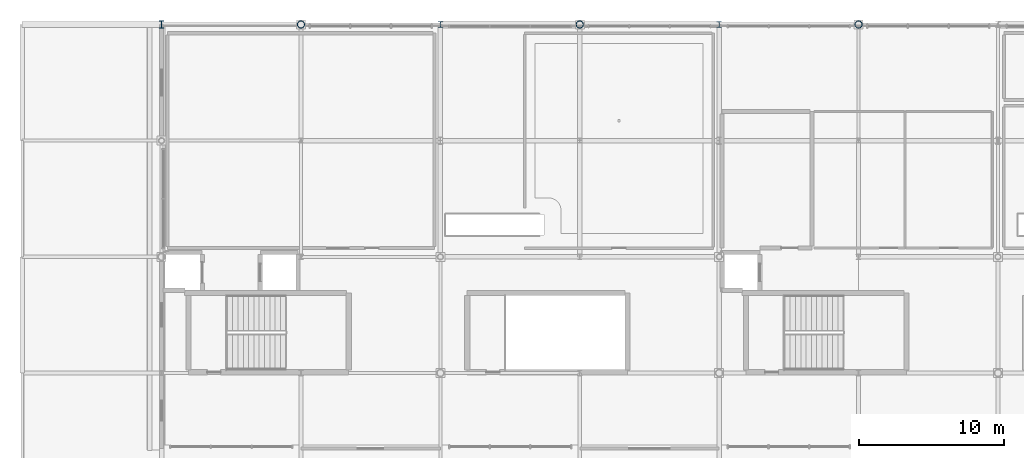
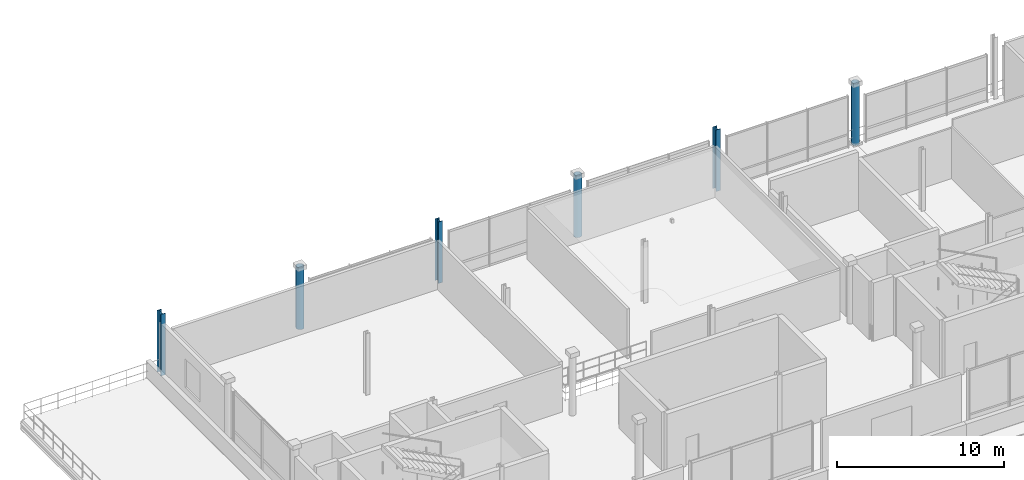
# One storey, part 3 of 26: 6 columns.
"""IFC4 building model written with IfcOpenShell, lengths in metres."""

import ifcopenshell
import ifcopenshell.guid

model = None  # the IFC model being written
_history = None  # IfcOwnerHistory: only IFC2X3 demands one
_inside = {}  # id of a spatial element -> (the spatial element, [elements in it])
_under = {}  # id of a project, library or spatial element -> (it, [spatial elements below it])
_declared = {}  # id of a project -> (the project, [libraries it declares])
_typed = {}  # id of a type object -> (the type object, [elements of that type])
_made_of = {}  # id of a material, layer set ... -> (it, [elements and type objects made of it])


def new_model(schema):
    """Start an empty IFC model of exactly this schema.

    Asked for "IFC4X3", IfcOpenShell would pick the latest addendum, in which some entities
    have other attributes; the version numbers below select the first issue.
    IFC2X3 requires an IfcOwnerHistory on every rooted entity: one is made here for all.
    """
    global model, _history
    if schema == "IFC4X3":
        model = ifcopenshell.file(schema_version=(4, 3, 0, 0))
    else:
        model = ifcopenshell.file(schema=schema)
    _inside.clear()
    _under.clear()
    _declared.clear()
    _typed.clear()
    _made_of.clear()
    _history = None
    if model.schema == "IFC2X3":
        org = make("IfcOrganization", Name="unknown")
        user = make(
            "IfcPersonAndOrganization",
            ThePerson=make("IfcPerson", FamilyName="unknown"),
            TheOrganization=org,
        )
        app = make(
            "IfcApplication",
            ApplicationDeveloper=org,
            Version="unknown",
            ApplicationFullName="unknown",
            ApplicationIdentifier="unknown",
        )
        _history = make(
            "IfcOwnerHistory",
            OwningUser=user,
            OwningApplication=app,
            ChangeAction="ADDED",
            CreationDate=0,
        )
    return model


def make(cls, **values):
    """One entity of the class cls with the attributes given. An attribute that is None is left unset."""
    return model.create_entity(
        cls, **{name: value for name, value in values.items() if value is not None}
    )


def rooted(cls, **values):
    """An entity with a GlobalId (a new one), such as an element, a storey or a relation."""
    return make(cls, GlobalId=ifcopenshell.guid.new(), OwnerHistory=_history, **values)


def si_unit(unit_type, name, prefix=None):
    """IfcSIUnit, for example si_unit("LENGTHUNIT", "METRE", prefix="MILLI")."""
    return make("IfcSIUnit", UnitType=unit_type, Prefix=prefix, Name=name)


def assignment(units):
    """IfcUnitAssignment: the units of a project."""
    return None if units is None else make("IfcUnitAssignment", Units=units)


def point(xyz):
    """IfcCartesianPoint."""
    return None if xyz is None else make("IfcCartesianPoint", Coordinates=xyz)


def direction(xyz):
    """IfcDirection."""
    return None if xyz is None else make("IfcDirection", DirectionRatios=xyz)


def frame(location, z_axis=None, x_axis=None):
    """IfcAxis2Placement3D, a coordinate frame: its origin and axes. An axis left out is left unset."""
    return make(
        "IfcAxis2Placement3D",
        Location=point(location),
        Axis=direction(z_axis),
        RefDirection=direction(x_axis),
    )


def frame_2d(location, x_axis=None):
    """IfcAxis2Placement2D, a coordinate frame in the plane: its origin and x axis."""
    return make(
        "IfcAxis2Placement2D", Location=point(location), RefDirection=direction(x_axis)
    )


def origin():
    """The frame at (0, 0, 0) with its axes left unset."""
    return frame((0.0, 0.0, 0.0))


def origin_2d():
    """The frame at (0, 0) in the plane with its x axis left unset."""
    return frame_2d((0.0, 0.0))


def place(relative_to, where):
    """IfcLocalPlacement: puts the frame where relative to a parent placement (None: the world)."""
    return make(
        "IfcLocalPlacement", PlacementRelTo=relative_to, RelativePlacement=where
    )


def context(
    kind, dimensions, precision=None, world=None, true_north=None, identifier=None
):
    """IfcGeometricRepresentationContext, for example the 3D "Model" context."""
    return make(
        "IfcGeometricRepresentationContext",
        ContextIdentifier=identifier,
        ContextType=kind,
        CoordinateSpaceDimension=dimensions,
        Precision=precision,
        WorldCoordinateSystem=world,
        TrueNorth=true_north,
    )


def subcontext(parent, identifier, kind, view, scale=None):
    """IfcGeometricRepresentationSubContext, for example "Body" below "Model"."""
    return make(
        "IfcGeometricRepresentationSubContext",
        ContextIdentifier=identifier,
        ContextType=kind,
        ParentContext=parent,
        TargetScale=scale,
        TargetView=view,
    )


def project(units=None, contexts=None):
    """IfcProject with its units and contexts."""
    return rooted(
        "IfcProject",
        Name="project",
        RepresentationContexts=contexts,
        UnitsInContext=assignment(units),
    )


def spatial(cls, under=None, at=None, **own):
    """A site, building, storey or space (cls), placed at a placement, below another one or the project."""
    s = rooted(cls, ObjectPlacement=at, **own)
    if under is not None:
        _under.setdefault(under.id(), (under, []))[1].append(s)
    return s


def profile(cls, at=None, kind="AREA", **sizes):
    """A parametric profile (cls). Its sizes go by their IFC names, for example OverallWidth=200.0."""
    return make(cls, ProfileType=kind, Position=at, **sizes)


def hollow_circle(**sizes):
    """IfcCircleHollowProfileDef."""
    return profile("IfcCircleHollowProfileDef", **sizes)


def i_section(**sizes):
    """IfcIShapeProfileDef."""
    return profile("IfcIShapeProfileDef", **sizes)


def extrude(swept, where, along, depth):
    """IfcExtrudedAreaSolid: the profile swept, set in the frame where, extruded along a direction by depth."""
    return make(
        "IfcExtrudedAreaSolid",
        SweptArea=swept,
        Position=where,
        ExtrudedDirection=direction(along),
        Depth=depth,
    )


def shape(context_of_items, identifier, shape_type, items):
    """IfcShapeRepresentation: the items that make up one representation, for example the "Body"."""
    return make(
        "IfcShapeRepresentation",
        ContextOfItems=context_of_items,
        RepresentationIdentifier=identifier,
        RepresentationType=shape_type,
        Items=items,
    )


def material(Name=None, Category=None):
    """IfcMaterial."""
    return make("IfcMaterial", Name=Name, Category=Category)


def material_profile(
    of_material, cross_section, Name=None, Category=None, Priority=None
):
    """IfcMaterialProfile: a cross section and its material."""
    return make(
        "IfcMaterialProfile",
        Name=Name,
        Material=of_material,
        Profile=cross_section,
        Priority=Priority,
        Category=Category,
    )


def profile_set(profiles, Name=None, composite=None):
    """IfcMaterialProfileSet."""
    return make(
        "IfcMaterialProfileSet",
        Name=Name,
        MaterialProfiles=profiles,
        CompositeProfile=composite,
    )


def made_of(thing, what):
    """Note that an element or type object is made of a material, layer set ...; save() writes the relation."""
    if what is not None:
        _made_of.setdefault(what.id(), (what, []))[1].append(thing)
    return thing


def type_object(cls, material=None, **own):
    """A type object (cls), such as IfcWallType, which elements share."""
    return made_of(rooted(cls, **own), material)


def element(
    cls,
    number,
    at=None,
    inside=None,
    cuts=None,
    type_object=None,
    material=None,
    context=None,
    identifier="Body",
    shape_type=None,
    held_by="IfcProductDefinitionShape",
    body=None,
    shapes=None,
    **own,
):
    """One element of the class cls, such as IfcWall. Its Tag is "e" and its number.

    at: its placement. inside: the storey or other place that contains it. cuts: it is an
    opening in that element (IfcRelVoidsElement). A single representation is given by context,
    identifier, shape_type and body (its items); several are given by shapes. held_by: the class
    of the entity that holds the representations. save() writes the other relations.
    """
    e = rooted(cls, Tag="e%d" % number, ObjectPlacement=at, **own)
    if body is not None:
        shapes = [shape(context, identifier, shape_type, body)]
    if shapes is not None:
        e.Representation = make(held_by, Representations=shapes)
    if inside is not None:
        _inside.setdefault(inside.id(), (inside, []))[1].append(e)
    if cuts is not None:
        rooted(
            "IfcRelVoidsElement", RelatingBuildingElement=cuts, RelatedOpeningElement=e
        )
    if type_object is not None:
        _typed.setdefault(type_object.id(), (type_object, []))[1].append(e)
    return made_of(e, material)


def aggregate(whole, parts):
    """IfcRelAggregates: a whole, such as a stair, and the parts it consists of."""
    return rooted("IfcRelAggregates", RelatingObject=whole, RelatedObjects=parts)


def save(model, path):
    """Write the relations noted so far, then the file.

    IfcRelAggregates (storeys below a building ...), IfcRelContainedInSpatialStructure (elements
    in a storey), IfcRelDefinesByType, IfcRelAssociatesMaterial and IfcRelDeclares: one each for
    every whole, place, type object, material and project.
    """
    for whole, parts in _under.values():
        aggregate(whole, parts)
    for where, things in _inside.values():
        rooted(
            "IfcRelContainedInSpatialStructure",
            RelatedElements=things,
            RelatingStructure=where,
        )
    for kind, things in _typed.values():
        rooted("IfcRelDefinesByType", RelatedObjects=things, RelatingType=kind)
    for what, things in _made_of.values():
        rooted("IfcRelAssociatesMaterial", RelatedObjects=things, RelatingMaterial=what)
    for by, libraries in _declared.values():
        rooted("IfcRelDeclares", RelatingContext=by, RelatedDefinitions=libraries)
    model.write(path)


model = new_model("IFC4")

# Units and contexts
model_context = context("Model", 3, precision=1e-05, world=origin(), true_north=direction((0.0, 1.0)))
body_context = subcontext(model_context, "Body", "Model", "MODEL_VIEW")
ifc_project = project(units=[si_unit("LENGTHUNIT", "METRE"), si_unit("AREAUNIT", "SQUARE_METRE"), si_unit("VOLUMEUNIT", "CUBIC_METRE"), si_unit("PLANEANGLEUNIT", "RADIAN"), si_unit("MASSUNIT", "GRAM", prefix="KILO")], contexts=[model_context])

# Site, building, storey
site_placement = place(None, origin())
site = spatial("IfcSite", under=ifc_project, at=site_placement, CompositionType="ELEMENT")
building_placement = place(site_placement, origin())
building = spatial("IfcBuilding", under=site, at=building_placement, Name="Danafjord Basin Convention Centre", CompositionType="ELEMENT")
storey_placement = place(building_placement, frame((0.0, 0.0, 24.89990234375)))
storey = spatial("IfcBuildingStorey", under=building, at=storey_placement, Name="L05", CompositionType="ELEMENT", Elevation=24.89990234375)

# Columns
ifc_material = material(Name="Steel S355", Category="steel")
ifc_material_profile_1 = material_profile(ifc_material, hollow_circle(Radius=0.25390625, WallThickness=0.02490234375, at=origin_2d()), Name="CHS 508.0x25.0")
ifc_profile_set_1 = profile_set([ifc_material_profile_1], Name="Steel S355")
column_type_1 = type_object("IfcColumnType", Name="COL-C-CHS508", PredefinedType="COLUMN", material=ifc_profile_set_1)
for number, where, z_axis, x_axis, name in (
    (1, (19.199951171875, 40.0, 0.0), (0.0, 0.0, 1.0), (1.0, 0.0, 0.0), "L05 column C-CHS508 at (19.2, 40.0)"),
    (2, (38.39990234375, 40.0, 0.0), (0.0, 0.0, 1.0), (1.0, 0.0, 0.0), "L05 column C-CHS508 at (38.4, 40.0)"),
    (3, (57.60009765625, 40.0, 0.0), (0.0, 0.0, 1.0), (1.0, 0.0, 0.0), "L05 column C-CHS508 at (57.6, 40.0)"),
):
    element("IfcColumn", number, at=place(storey_placement, frame(where, z_axis=z_axis, x_axis=x_axis)), inside=storey, type_object=column_type_1, Name=name, PredefinedType="COLUMN", context=body_context, shape_type="SweptSolid", body=[
        extrude(hollow_circle(Radius=0.25390625, WallThickness=0.02490234375, at=origin_2d()), origin(), (0.0, 0.0, 1.0), 4.5),
    ])
ifc_material_profile_2 = material_profile(ifc_material, i_section(OverallWidth=0.300048828125, OverallDepth=0.39990234375, WebThickness=0.013427734375, FlangeThickness=0.02392578125, FilletRadius=0.027099609375, at=origin_2d()), Name="HEB 400")
ifc_profile_set_2 = profile_set([ifc_material_profile_2], Name="Steel S355")
column_type_2 = type_object("IfcColumnType", Name="COL-C-HEB400", PredefinedType="COLUMN", material=ifc_profile_set_2)
for number, where, z_axis, x_axis, name in (
    (4, (28.800048828125, 40.0, 0.0), (0.0, 0.0, 1.0), (1.0, 0.0, 0.0), "L05 column C-HEB400 at (28.8, 40.0)"),
    (5, (48.0, 40.0, 0.0), (0.0, 0.0, 1.0), (1.0, 0.0, 0.0), "L05 column C-HEB400 at (48.0, 40.0)"),
):
    element("IfcColumn", number, at=place(storey_placement, frame(where, z_axis=z_axis, x_axis=x_axis)), inside=storey, type_object=column_type_2, Name=name, PredefinedType="COLUMN", context=body_context, shape_type="SweptSolid", body=[
        extrude(i_section(OverallWidth=0.300048828125, OverallDepth=0.39990234375, WebThickness=0.013427734375, FlangeThickness=0.02392578125, FilletRadius=0.027099609375, at=origin_2d()), origin(), (0.0, 0.0, 1.0), 4.5),
    ])
ifc_material_profile_3 = material_profile(ifc_material, i_section(OverallWidth=0.300048828125, OverallDepth=0.5, WebThickness=0.014404296875, FlangeThickness=0.028076171875, FilletRadius=0.027099609375, at=origin_2d()), Name="HEB 500")
ifc_profile_set_3 = profile_set([ifc_material_profile_3], Name="Steel S355")
column_type_3 = type_object("IfcColumnType", Name="COL-C-HEB500", PredefinedType="COLUMN", material=ifc_profile_set_3)
column_placement = place(storey_placement, frame((9.60009765625, 40.0, 0.0), z_axis=(0.0, 0.0, 1.0), x_axis=(1.0, 0.0, 0.0)))
element("IfcColumn", 6, at=column_placement, inside=storey, type_object=column_type_3, Name="L05 column C-HEB500 at (9.6, 40.0)", PredefinedType="COLUMN", context=body_context, shape_type="SweptSolid", body=[
    extrude(i_section(OverallWidth=0.300048828125, OverallDepth=0.5, WebThickness=0.014404296875, FlangeThickness=0.028076171875, FilletRadius=0.027099609375, at=origin_2d()), origin(), (0.0, 0.0, 1.0), 4.5),
])

save(model, "model.ifc")
